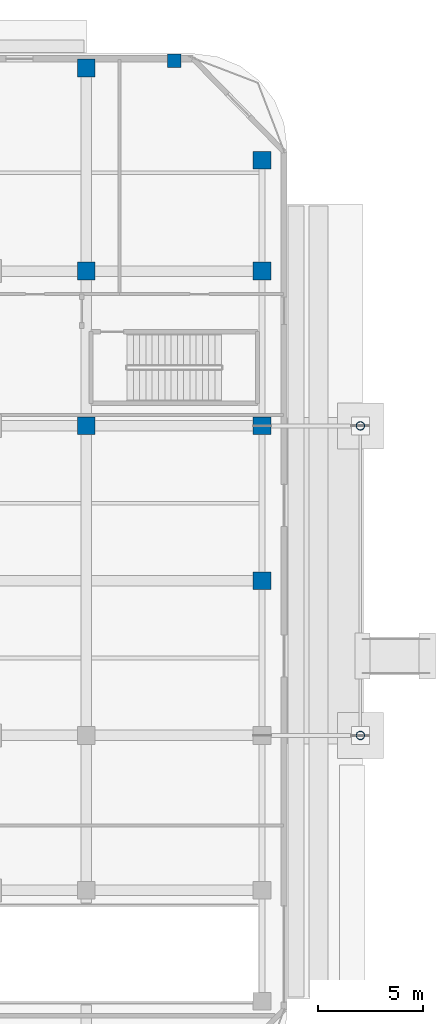
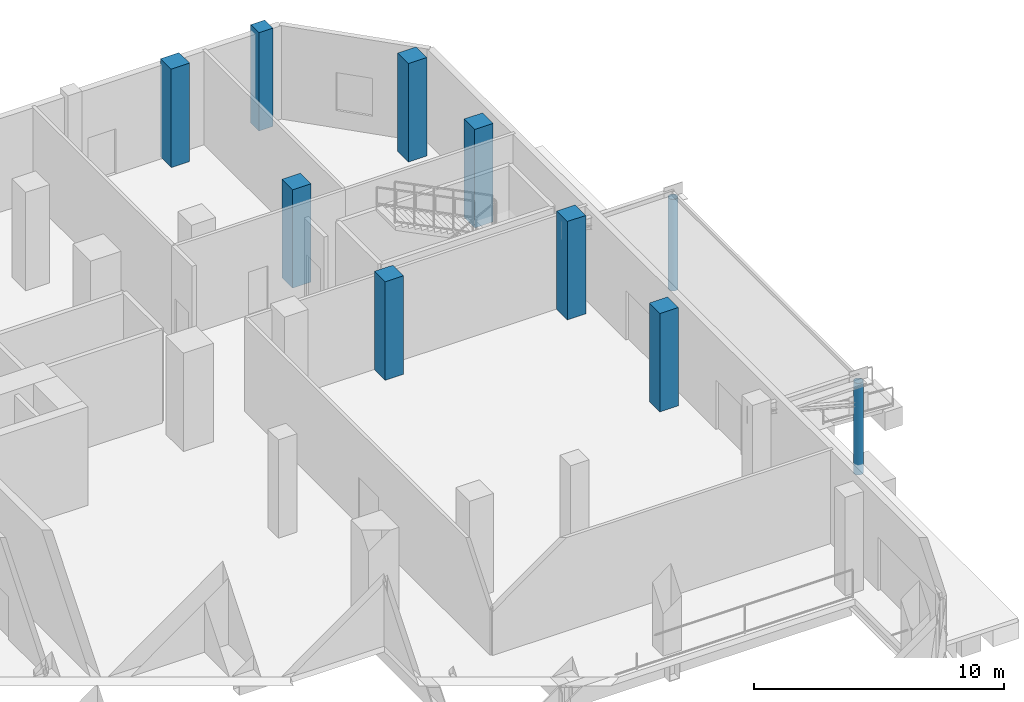
# One storey, part 6 of 24: 10 columns.
"""IFC4 building model written with IfcOpenShell, lengths in metres."""

import ifcopenshell
import ifcopenshell.guid

model = None  # the IFC model being written
_history = None  # IfcOwnerHistory: only IFC2X3 demands one
_inside = {}  # id of a spatial element -> (the spatial element, [elements in it])
_under = {}  # id of a project, library or spatial element -> (it, [spatial elements below it])
_declared = {}  # id of a project -> (the project, [libraries it declares])
_typed = {}  # id of a type object -> (the type object, [elements of that type])
_made_of = {}  # id of a material, layer set ... -> (it, [elements and type objects made of it])


def new_model(schema):
    """Start an empty IFC model of exactly this schema.

    Asked for "IFC4X3", IfcOpenShell would pick the latest addendum, in which some entities
    have other attributes; the version numbers below select the first issue.
    IFC2X3 requires an IfcOwnerHistory on every rooted entity: one is made here for all.
    """
    global model, _history
    if schema == "IFC4X3":
        model = ifcopenshell.file(schema_version=(4, 3, 0, 0))
    else:
        model = ifcopenshell.file(schema=schema)
    _inside.clear()
    _under.clear()
    _declared.clear()
    _typed.clear()
    _made_of.clear()
    _history = None
    if model.schema == "IFC2X3":
        org = make("IfcOrganization", Name="unknown")
        user = make(
            "IfcPersonAndOrganization",
            ThePerson=make("IfcPerson", FamilyName="unknown"),
            TheOrganization=org,
        )
        app = make(
            "IfcApplication",
            ApplicationDeveloper=org,
            Version="unknown",
            ApplicationFullName="unknown",
            ApplicationIdentifier="unknown",
        )
        _history = make(
            "IfcOwnerHistory",
            OwningUser=user,
            OwningApplication=app,
            ChangeAction="ADDED",
            CreationDate=0,
        )
    return model


def make(cls, **values):
    """One entity of the class cls with the attributes given. An attribute that is None is left unset."""
    return model.create_entity(
        cls, **{name: value for name, value in values.items() if value is not None}
    )


def rooted(cls, **values):
    """An entity with a GlobalId (a new one), such as an element, a storey or a relation."""
    return make(cls, GlobalId=ifcopenshell.guid.new(), OwnerHistory=_history, **values)


def si_unit(unit_type, name, prefix=None):
    """IfcSIUnit, for example si_unit("LENGTHUNIT", "METRE", prefix="MILLI")."""
    return make("IfcSIUnit", UnitType=unit_type, Prefix=prefix, Name=name)


def assignment(units):
    """IfcUnitAssignment: the units of a project."""
    return None if units is None else make("IfcUnitAssignment", Units=units)


def point(xyz):
    """IfcCartesianPoint."""
    return None if xyz is None else make("IfcCartesianPoint", Coordinates=xyz)


def direction(xyz):
    """IfcDirection."""
    return None if xyz is None else make("IfcDirection", DirectionRatios=xyz)


def frame(location, z_axis=None, x_axis=None):
    """IfcAxis2Placement3D, a coordinate frame: its origin and axes. An axis left out is left unset."""
    return make(
        "IfcAxis2Placement3D",
        Location=point(location),
        Axis=direction(z_axis),
        RefDirection=direction(x_axis),
    )


def frame_2d(location, x_axis=None):
    """IfcAxis2Placement2D, a coordinate frame in the plane: its origin and x axis."""
    return make(
        "IfcAxis2Placement2D", Location=point(location), RefDirection=direction(x_axis)
    )


def origin():
    """The frame at (0, 0, 0) with its axes left unset."""
    return frame((0.0, 0.0, 0.0))


def origin_2d():
    """The frame at (0, 0) in the plane with its x axis left unset."""
    return frame_2d((0.0, 0.0))


def place(relative_to, where):
    """IfcLocalPlacement: puts the frame where relative to a parent placement (None: the world)."""
    return make(
        "IfcLocalPlacement", PlacementRelTo=relative_to, RelativePlacement=where
    )


def context(
    kind, dimensions, precision=None, world=None, true_north=None, identifier=None
):
    """IfcGeometricRepresentationContext, for example the 3D "Model" context."""
    return make(
        "IfcGeometricRepresentationContext",
        ContextIdentifier=identifier,
        ContextType=kind,
        CoordinateSpaceDimension=dimensions,
        Precision=precision,
        WorldCoordinateSystem=world,
        TrueNorth=true_north,
    )


def subcontext(parent, identifier, kind, view, scale=None):
    """IfcGeometricRepresentationSubContext, for example "Body" below "Model"."""
    return make(
        "IfcGeometricRepresentationSubContext",
        ContextIdentifier=identifier,
        ContextType=kind,
        ParentContext=parent,
        TargetScale=scale,
        TargetView=view,
    )


def project(units=None, contexts=None):
    """IfcProject with its units and contexts."""
    return rooted(
        "IfcProject",
        Name="project",
        RepresentationContexts=contexts,
        UnitsInContext=assignment(units),
    )


def spatial(cls, under=None, at=None, **own):
    """A site, building, storey or space (cls), placed at a placement, below another one or the project."""
    s = rooted(cls, ObjectPlacement=at, **own)
    if under is not None:
        _under.setdefault(under.id(), (under, []))[1].append(s)
    return s


def profile(cls, at=None, kind="AREA", **sizes):
    """A parametric profile (cls). Its sizes go by their IFC names, for example OverallWidth=200.0."""
    return make(cls, ProfileType=kind, Position=at, **sizes)


def rectangle(**sizes):
    """IfcRectangleProfileDef."""
    return profile("IfcRectangleProfileDef", **sizes)


def hollow_circle(**sizes):
    """IfcCircleHollowProfileDef."""
    return profile("IfcCircleHollowProfileDef", **sizes)


def extrude(swept, where, along, depth):
    """IfcExtrudedAreaSolid: the profile swept, set in the frame where, extruded along a direction by depth."""
    return make(
        "IfcExtrudedAreaSolid",
        SweptArea=swept,
        Position=where,
        ExtrudedDirection=direction(along),
        Depth=depth,
    )


def shape(context_of_items, identifier, shape_type, items):
    """IfcShapeRepresentation: the items that make up one representation, for example the "Body"."""
    return make(
        "IfcShapeRepresentation",
        ContextOfItems=context_of_items,
        RepresentationIdentifier=identifier,
        RepresentationType=shape_type,
        Items=items,
    )


def material(Name=None, Category=None):
    """IfcMaterial."""
    return make("IfcMaterial", Name=Name, Category=Category)


def material_profile(
    of_material, cross_section, Name=None, Category=None, Priority=None
):
    """IfcMaterialProfile: a cross section and its material."""
    return make(
        "IfcMaterialProfile",
        Name=Name,
        Material=of_material,
        Profile=cross_section,
        Priority=Priority,
        Category=Category,
    )


def profile_set(profiles, Name=None, composite=None):
    """IfcMaterialProfileSet."""
    return make(
        "IfcMaterialProfileSet",
        Name=Name,
        MaterialProfiles=profiles,
        CompositeProfile=composite,
    )


def made_of(thing, what):
    """Note that an element or type object is made of a material, layer set ...; save() writes the relation."""
    if what is not None:
        _made_of.setdefault(what.id(), (what, []))[1].append(thing)
    return thing


def type_object(cls, material=None, **own):
    """A type object (cls), such as IfcWallType, which elements share."""
    return made_of(rooted(cls, **own), material)


def element(
    cls,
    number,
    at=None,
    inside=None,
    cuts=None,
    type_object=None,
    material=None,
    context=None,
    identifier="Body",
    shape_type=None,
    held_by="IfcProductDefinitionShape",
    body=None,
    shapes=None,
    **own,
):
    """One element of the class cls, such as IfcWall. Its Tag is "e" and its number.

    at: its placement. inside: the storey or other place that contains it. cuts: it is an
    opening in that element (IfcRelVoidsElement). A single representation is given by context,
    identifier, shape_type and body (its items); several are given by shapes. held_by: the class
    of the entity that holds the representations. save() writes the other relations.
    """
    e = rooted(cls, Tag="e%d" % number, ObjectPlacement=at, **own)
    if body is not None:
        shapes = [shape(context, identifier, shape_type, body)]
    if shapes is not None:
        e.Representation = make(held_by, Representations=shapes)
    if inside is not None:
        _inside.setdefault(inside.id(), (inside, []))[1].append(e)
    if cuts is not None:
        rooted(
            "IfcRelVoidsElement", RelatingBuildingElement=cuts, RelatedOpeningElement=e
        )
    if type_object is not None:
        _typed.setdefault(type_object.id(), (type_object, []))[1].append(e)
    return made_of(e, material)


def aggregate(whole, parts):
    """IfcRelAggregates: a whole, such as a stair, and the parts it consists of."""
    return rooted("IfcRelAggregates", RelatingObject=whole, RelatedObjects=parts)


def save(model, path):
    """Write the relations noted so far, then the file.

    IfcRelAggregates (storeys below a building ...), IfcRelContainedInSpatialStructure (elements
    in a storey), IfcRelDefinesByType, IfcRelAssociatesMaterial and IfcRelDeclares: one each for
    every whole, place, type object, material and project.
    """
    for whole, parts in _under.values():
        aggregate(whole, parts)
    for where, things in _inside.values():
        rooted(
            "IfcRelContainedInSpatialStructure",
            RelatedElements=things,
            RelatingStructure=where,
        )
    for kind, things in _typed.values():
        rooted("IfcRelDefinesByType", RelatedObjects=things, RelatingType=kind)
    for what, things in _made_of.values():
        rooted("IfcRelAssociatesMaterial", RelatedObjects=things, RelatingMaterial=what)
    for by, libraries in _declared.values():
        rooted("IfcRelDeclares", RelatingContext=by, RelatedDefinitions=libraries)
    model.write(path)


model = new_model("IFC4")

# Units and contexts
model_context = context("Model", 3, precision=1e-05, world=origin(), true_north=direction((0.0, 1.0)))
body_context = subcontext(model_context, "Body", "Model", "MODEL_VIEW")
ifc_project = project(units=[si_unit("LENGTHUNIT", "METRE"), si_unit("AREAUNIT", "SQUARE_METRE"), si_unit("VOLUMEUNIT", "CUBIC_METRE"), si_unit("PLANEANGLEUNIT", "RADIAN"), si_unit("MASSUNIT", "GRAM", prefix="KILO")], contexts=[model_context])

# Site, building, storey
site_placement = place(None, origin())
site = spatial("IfcSite", under=ifc_project, at=site_placement, CompositionType="ELEMENT")
building_placement = place(site_placement, origin())
building = spatial("IfcBuilding", under=site, at=building_placement, Name="Khorvyn Point Tower", CompositionType="ELEMENT")
storey_placement = place(building_placement, origin())
storey = spatial("IfcBuildingStorey", under=building, at=storey_placement, Name="L01", CompositionType="ELEMENT", Elevation=0.0)

# Columns
ifc_material_1 = material(Name="Concrete C40/50", Category="concrete")
ifc_material_profile_1 = material_profile(ifc_material_1, rectangle(XDim=0.85009765625, YDim=0.85009765625, at=origin_2d()))
ifc_profile_set_1 = profile_set([ifc_material_profile_1], Name="Concrete C40/50 RC850x850")
column_type_1 = type_object("IfcColumnType", Name="Concrete C40/50 Column RC850x850", PredefinedType="COLUMN", material=ifc_profile_set_1)
for number, where, z_axis, x_axis, name in (
    (1, (24.0, 7.39990234375, 0.0), (0.0, 0.0, 1.0), (1.0, 0.0, 0.0), "PC-L01-+240-+074"),
    (2, (24.0, 14.800048828125, 0.0), (0.0, 0.0, 1.0), (1.0, 0.0, 0.0), "PC-L01-+240-+148"),
    (3, (24.0, 24.5, 0.0), (0.0, 0.0, 1.0), (1.0, 0.0, 0.0), "PC-L01-+240-+245"),
    (4, (32.39990234375, 0.0, 0.0), (0.0, 0.0, 1.0), (1.0, 0.0, 0.0), "PC-L01-+324-+000"),
    (5, (32.39990234375, 7.39990234375, 0.0), (0.0, 0.0, 1.0), (1.0, 0.0, 0.0), "PC-L01-+324-+074"),
    (6, (32.39990234375, 14.800048828125, 0.0), (0.0, 0.0, 1.0), (1.0, 0.0, 0.0), "PC-L01-+324-+148"),
    (7, (32.39990234375, 20.10009765625, 0.0), (0.0, 0.0, 1.0), (1.0, 0.0, 0.0), "PCR-L01-+32-+20"),
):
    element("IfcColumn", number, at=place(storey_placement, frame(where, z_axis=z_axis, x_axis=x_axis)), inside=storey, type_object=column_type_1, Name=name, PredefinedType="COLUMN", context=body_context, shape_type="SweptSolid", body=[
        extrude(rectangle(XDim=0.85009765625, YDim=0.85009765625, at=origin_2d()), origin(), (0.0, 0.0, 1.0), 4.800048828125),
    ])
ifc_material_profile_2 = material_profile(ifc_material_1, rectangle(XDim=0.64990234375, YDim=0.64990234375, at=origin_2d()))
ifc_profile_set_2 = profile_set([ifc_material_profile_2], Name="Concrete C40/50 RC650x650")
column_type_2 = type_object("IfcColumnType", Name="Concrete C40/50 Pilaster RC650x650", PredefinedType="PILASTER", material=ifc_profile_set_2)
column_placement = place(storey_placement, frame((28.199951171875, 24.85009765625, 0.0), z_axis=(0.0, 0.0, 1.0), x_axis=(1.0, 0.0, 0.0)))
element("IfcColumn", 8, at=column_placement, inside=storey, type_object=column_type_2, Name="L01 Colonnade Pilaster N", PredefinedType="PILASTER", context=body_context, shape_type="SweptSolid", body=[
    extrude(rectangle(XDim=0.64990234375, YDim=0.64990234375, at=origin_2d()), origin(), (0.0, 0.0, 1.0), 4.800048828125),
])
ifc_material_2 = material(Name="Steel S355", Category="steel")
ifc_material_profile_3 = material_profile(ifc_material_2, hollow_circle(Radius=0.203125, WallThickness=0.01611328125, at=origin_2d()))
ifc_profile_set_3 = profile_set([ifc_material_profile_3], Name="Steel S355 CHS406.4x16")
column_type_3 = type_object("IfcColumnType", Name="Steel S355 Structural Column CHS406.4x16", PredefinedType="COLUMN", material=ifc_profile_set_3)
for number, where, z_axis, x_axis, name in (
    (9, (37.10009765625, -7.39990234375, -0.5), (0.0, 0.0, 1.0), (1.0, 0.0, 0.0), "L01 Monsoon Canopy Column CN-E1"),
    (10, (37.10009765625, 7.39990234375, -0.5), (0.0, 0.0, 1.0), (1.0, 0.0, 0.0), "L01 Monsoon Canopy Column CN-E2"),
):
    element("IfcColumn", number, at=place(storey_placement, frame(where, z_axis=z_axis, x_axis=x_axis)), inside=storey, type_object=column_type_3, Name=name, PredefinedType="COLUMN", context=body_context, shape_type="SweptSolid", body=[
        extrude(hollow_circle(Radius=0.203125, WallThickness=0.01611328125, at=origin_2d()), origin(), (0.0, 0.0, 1.0), 4.4599609375),
    ])

save(model, "model.ifc")
